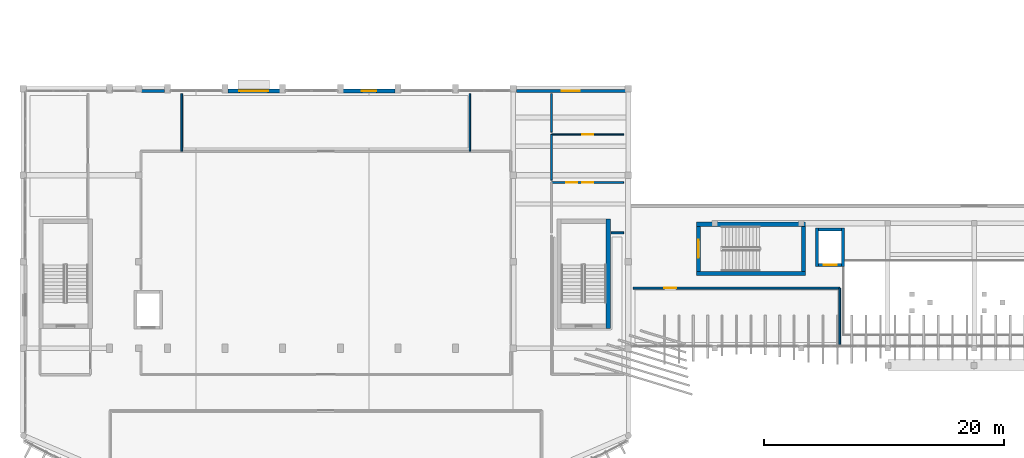
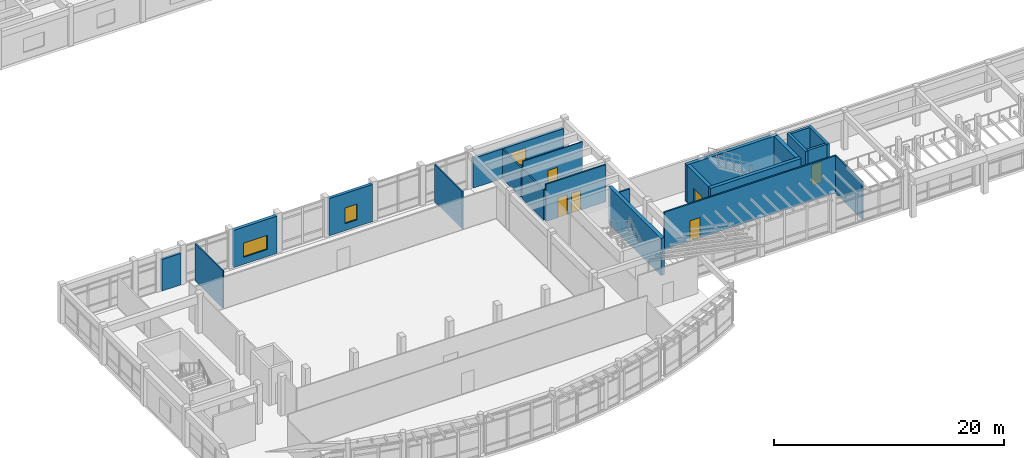
# One storey, part 36 of 60: 22 walls, 6 doors, 3 windows, 9 openings.
"""IFC4 building model written with IfcOpenShell, lengths in metres."""

import ifcopenshell
import ifcopenshell.guid

model = None  # the IFC model being written
_history = None  # IfcOwnerHistory: only IFC2X3 demands one
_inside = {}  # id of a spatial element -> (the spatial element, [elements in it])
_under = {}  # id of a project, library or spatial element -> (it, [spatial elements below it])
_declared = {}  # id of a project -> (the project, [libraries it declares])
_typed = {}  # id of a type object -> (the type object, [elements of that type])
_made_of = {}  # id of a material, layer set ... -> (it, [elements and type objects made of it])


def new_model(schema):
    """Start an empty IFC model of exactly this schema.

    Asked for "IFC4X3", IfcOpenShell would pick the latest addendum, in which some entities
    have other attributes; the version numbers below select the first issue.
    IFC2X3 requires an IfcOwnerHistory on every rooted entity: one is made here for all.
    """
    global model, _history
    if schema == "IFC4X3":
        model = ifcopenshell.file(schema_version=(4, 3, 0, 0))
    else:
        model = ifcopenshell.file(schema=schema)
    _inside.clear()
    _under.clear()
    _declared.clear()
    _typed.clear()
    _made_of.clear()
    _history = None
    if model.schema == "IFC2X3":
        org = make("IfcOrganization", Name="unknown")
        user = make(
            "IfcPersonAndOrganization",
            ThePerson=make("IfcPerson", FamilyName="unknown"),
            TheOrganization=org,
        )
        app = make(
            "IfcApplication",
            ApplicationDeveloper=org,
            Version="unknown",
            ApplicationFullName="unknown",
            ApplicationIdentifier="unknown",
        )
        _history = make(
            "IfcOwnerHistory",
            OwningUser=user,
            OwningApplication=app,
            ChangeAction="ADDED",
            CreationDate=0,
        )
    return model


def make(cls, **values):
    """One entity of the class cls with the attributes given. An attribute that is None is left unset."""
    return model.create_entity(
        cls, **{name: value for name, value in values.items() if value is not None}
    )


def rooted(cls, **values):
    """An entity with a GlobalId (a new one), such as an element, a storey or a relation."""
    return make(cls, GlobalId=ifcopenshell.guid.new(), OwnerHistory=_history, **values)


def si_unit(unit_type, name, prefix=None):
    """IfcSIUnit, for example si_unit("LENGTHUNIT", "METRE", prefix="MILLI")."""
    return make("IfcSIUnit", UnitType=unit_type, Prefix=prefix, Name=name)


def assignment(units):
    """IfcUnitAssignment: the units of a project."""
    return None if units is None else make("IfcUnitAssignment", Units=units)


def point(xyz):
    """IfcCartesianPoint."""
    return None if xyz is None else make("IfcCartesianPoint", Coordinates=xyz)


def direction(xyz):
    """IfcDirection."""
    return None if xyz is None else make("IfcDirection", DirectionRatios=xyz)


def frame(location, z_axis=None, x_axis=None):
    """IfcAxis2Placement3D, a coordinate frame: its origin and axes. An axis left out is left unset."""
    return make(
        "IfcAxis2Placement3D",
        Location=point(location),
        Axis=direction(z_axis),
        RefDirection=direction(x_axis),
    )


def frame_2d(location, x_axis=None):
    """IfcAxis2Placement2D, a coordinate frame in the plane: its origin and x axis."""
    return make(
        "IfcAxis2Placement2D", Location=point(location), RefDirection=direction(x_axis)
    )


def origin():
    """The frame at (0, 0, 0) with its axes left unset."""
    return frame((0.0, 0.0, 0.0))


def place(relative_to, where):
    """IfcLocalPlacement: puts the frame where relative to a parent placement (None: the world)."""
    return make(
        "IfcLocalPlacement", PlacementRelTo=relative_to, RelativePlacement=where
    )


def context(
    kind, dimensions, precision=None, world=None, true_north=None, identifier=None
):
    """IfcGeometricRepresentationContext, for example the 3D "Model" context."""
    return make(
        "IfcGeometricRepresentationContext",
        ContextIdentifier=identifier,
        ContextType=kind,
        CoordinateSpaceDimension=dimensions,
        Precision=precision,
        WorldCoordinateSystem=world,
        TrueNorth=true_north,
    )


def subcontext(parent, identifier, kind, view, scale=None):
    """IfcGeometricRepresentationSubContext, for example "Body" below "Model"."""
    return make(
        "IfcGeometricRepresentationSubContext",
        ContextIdentifier=identifier,
        ContextType=kind,
        ParentContext=parent,
        TargetScale=scale,
        TargetView=view,
    )


def project(units=None, contexts=None):
    """IfcProject with its units and contexts."""
    return rooted(
        "IfcProject",
        Name="project",
        RepresentationContexts=contexts,
        UnitsInContext=assignment(units),
    )


def spatial(cls, under=None, at=None, **own):
    """A site, building, storey or space (cls), placed at a placement, below another one or the project."""
    s = rooted(cls, ObjectPlacement=at, **own)
    if under is not None:
        _under.setdefault(under.id(), (under, []))[1].append(s)
    return s


def profile(cls, at=None, kind="AREA", **sizes):
    """A parametric profile (cls). Its sizes go by their IFC names, for example OverallWidth=200.0."""
    return make(cls, ProfileType=kind, Position=at, **sizes)


def rectangle(**sizes):
    """IfcRectangleProfileDef."""
    return profile("IfcRectangleProfileDef", **sizes)


def extrude(swept, where, along, depth):
    """IfcExtrudedAreaSolid: the profile swept, set in the frame where, extruded along a direction by depth."""
    return make(
        "IfcExtrudedAreaSolid",
        SweptArea=swept,
        Position=where,
        ExtrudedDirection=direction(along),
        Depth=depth,
    )


def shape(context_of_items, identifier, shape_type, items):
    """IfcShapeRepresentation: the items that make up one representation, for example the "Body"."""
    return make(
        "IfcShapeRepresentation",
        ContextOfItems=context_of_items,
        RepresentationIdentifier=identifier,
        RepresentationType=shape_type,
        Items=items,
    )


def material(Name=None, Category=None):
    """IfcMaterial."""
    return make("IfcMaterial", Name=Name, Category=Category)


def layer(
    of_material, thickness, ventilated=None, Name=None, Category=None, Priority=None
):
    """IfcMaterialLayer: one layer of a wall or slab, of a material (None: an air gap)."""
    return make(
        "IfcMaterialLayer",
        Material=of_material,
        LayerThickness=thickness,
        IsVentilated=ventilated,
        Name=Name,
        Category=Category,
        Priority=Priority,
    )


def layer_set(layers, Name=None):
    """IfcMaterialLayerSet."""
    return make("IfcMaterialLayerSet", MaterialLayers=layers, LayerSetName=Name)


def made_of(thing, what):
    """Note that an element or type object is made of a material, layer set ...; save() writes the relation."""
    if what is not None:
        _made_of.setdefault(what.id(), (what, []))[1].append(thing)
    return thing


def type_object(cls, material=None, **own):
    """A type object (cls), such as IfcWallType, which elements share."""
    return made_of(rooted(cls, **own), material)


def element(
    cls,
    number,
    at=None,
    inside=None,
    cuts=None,
    type_object=None,
    material=None,
    context=None,
    identifier="Body",
    shape_type=None,
    held_by="IfcProductDefinitionShape",
    body=None,
    shapes=None,
    **own,
):
    """One element of the class cls, such as IfcWall. Its Tag is "e" and its number.

    at: its placement. inside: the storey or other place that contains it. cuts: it is an
    opening in that element (IfcRelVoidsElement). A single representation is given by context,
    identifier, shape_type and body (its items); several are given by shapes. held_by: the class
    of the entity that holds the representations. save() writes the other relations.
    """
    e = rooted(cls, Tag="e%d" % number, ObjectPlacement=at, **own)
    if body is not None:
        shapes = [shape(context, identifier, shape_type, body)]
    if shapes is not None:
        e.Representation = make(held_by, Representations=shapes)
    if inside is not None:
        _inside.setdefault(inside.id(), (inside, []))[1].append(e)
    if cuts is not None:
        rooted(
            "IfcRelVoidsElement", RelatingBuildingElement=cuts, RelatedOpeningElement=e
        )
    if type_object is not None:
        _typed.setdefault(type_object.id(), (type_object, []))[1].append(e)
    return made_of(e, material)


def fill(opening, filler):
    """IfcRelFillsElement: the door or window that sits in an opening."""
    return rooted(
        "IfcRelFillsElement",
        RelatingOpeningElement=opening,
        RelatedBuildingElement=filler,
    )


def aggregate(whole, parts):
    """IfcRelAggregates: a whole, such as a stair, and the parts it consists of."""
    return rooted("IfcRelAggregates", RelatingObject=whole, RelatedObjects=parts)


def save(model, path):
    """Write the relations noted so far, then the file.

    IfcRelAggregates (storeys below a building ...), IfcRelContainedInSpatialStructure (elements
    in a storey), IfcRelDefinesByType, IfcRelAssociatesMaterial and IfcRelDeclares: one each for
    every whole, place, type object, material and project.
    """
    for whole, parts in _under.values():
        aggregate(whole, parts)
    for where, things in _inside.values():
        rooted(
            "IfcRelContainedInSpatialStructure",
            RelatedElements=things,
            RelatingStructure=where,
        )
    for kind, things in _typed.values():
        rooted("IfcRelDefinesByType", RelatedObjects=things, RelatingType=kind)
    for what, things in _made_of.values():
        rooted("IfcRelAssociatesMaterial", RelatedObjects=things, RelatingMaterial=what)
    for by, libraries in _declared.values():
        rooted("IfcRelDeclares", RelatingContext=by, RelatedDefinitions=libraries)
    model.write(path)


model = new_model("IFC4")

# Units and contexts
model_context = context("Model", 3, precision=1e-05, world=origin(), true_north=direction((0.0, 1.0)))
body_context = subcontext(model_context, "Body", "Model", "MODEL_VIEW")
ifc_project = project(units=[si_unit("LENGTHUNIT", "METRE"), si_unit("AREAUNIT", "SQUARE_METRE"), si_unit("VOLUMEUNIT", "CUBIC_METRE"), si_unit("PLANEANGLEUNIT", "RADIAN"), si_unit("MASSUNIT", "GRAM", prefix="KILO")], contexts=[model_context])

# Site, building, storey
site_placement = place(None, origin())
site = spatial("IfcSite", under=ifc_project, at=site_placement, CompositionType="ELEMENT")
building_placement = place(site_placement, origin())
building = spatial("IfcBuilding", under=site, at=building_placement, Name="Brisavento Harbour Community Centre", CompositionType="ELEMENT")
storey_placement = place(building_placement, frame((0.0, 0.0, 4.5)))
storey = spatial("IfcBuildingStorey", under=building, at=storey_placement, Name="L01", CompositionType="ELEMENT", Elevation=4.5)

# Walls
ifc_material_1 = material(Name="Concrete C40/50", Category="concrete")
ifc_layer_1 = layer(ifc_material_1, 0.35009765625, Name="Concrete C40/50")
ifc_layer_set_1 = layer_set([ifc_layer_1], Name="Concrete C40/50")
wall_type_1 = type_object("IfcWallType", Name="WL-CORE-350", PredefinedType="SHEAR", material=ifc_layer_set_1)
for number, where, z_axis, x_axis, name in (
    (1, (48.72509765625, 16.050048828125, 0.0), (0.0, 0.0, 1.0), (0.0, 1.0, 0.0), "L01 core C1B shear wall L"),
    (2, (56.050048828125, 20.625, 0.0), (0.0, 0.0, 1.0), (1.0, 0.0, 0.0), "L01 core C2 shear wall L"),
    (3, (65.14990234375, 24.72509765625, 0.0), (0.0, 0.0, 1.0), (-1.0, 0.0, 0.0), "L01 core C2 shear wall R"),
):
    element("IfcWall", number, at=place(storey_placement, frame(where, z_axis=z_axis, x_axis=x_axis)), inside=storey, type_object=wall_type_1, Name=name, PredefinedType="SHEAR", context=body_context, shape_type="SweptSolid", body=[
        extrude(rectangle(XDim=9.099853515625, YDim=0.35009765625, at=frame_2d((4.5498046875, 0.0))), origin(), (0.0, 0.0, 1.0), 3.949951171875),
    ])
wall_1_placement = place(storey_placement, frame((64.97509765625, 20.800048828125, 0.0), z_axis=(0.0, 0.0, 1.0), x_axis=(0.0, 1.0, 0.0)))
element("IfcWall", 4, at=wall_1_placement, inside=storey, type_object=wall_type_1, Name="L01 core C2 shear wall F", PredefinedType="SHEAR", context=body_context, shape_type="SweptSolid", body=[
    extrude(rectangle(XDim=3.75, YDim=0.35009765625, at=frame_2d((1.875, 0.0))), origin(), (0.0, 0.0, 1.0), 3.949951171875),
])

# Wall, opening, door
wall_2_placement = place(storey_placement, frame((56.22509765625, 24.550048828125, 0.0), z_axis=(0.0, 0.0, 1.0), x_axis=(0.0, -1.0, 0.0)))
wall_2 = element("IfcWall", 5, at=wall_2_placement, inside=storey, type_object=wall_type_1, Name="L01 core C2 shear wall N", PredefinedType="SHEAR", context=body_context, shape_type="SweptSolid", body=[
    extrude(rectangle(XDim=3.75, YDim=0.35009765625, at=frame_2d((1.875, 0.0))), origin(), (0.0, 0.0, 1.0), 3.949951171875),
])
opening_1_placement = place(wall_2_placement, frame((1.125, 0.0, 0.0)))
opening_1 = element("IfcOpeningElement", 6, at=opening_1_placement, cuts=wall_2, Name="Opening SD-01", PredefinedType="OPENING", context=body_context, shape_type="SweptSolid", body=[
    extrude(rectangle(XDim=1.5, YDim=2.199951171875, at=frame_2d((0.75, 1.10009765625))), frame((0.0, 0.18505859375, 0.0), z_axis=(0.0, -1.0, 0.0), x_axis=(1.0, 0.0, 0.0)), (0.0, 0.0, 1.0), 0.3701171875),
])
ifc_material_2 = material(Name="Fire-rated steel door assembly", Category="steel")
door_type_1 = type_object("IfcDoorType", Name="DR-STAIR-150x220", OperationType="NOTDEFINED", PredefinedType="DOOR", material=ifc_material_2)
door_1_placement = place(opening_1_placement, origin())
door_1 = element("IfcDoor", 7, at=door_1_placement, inside=storey, type_object=door_type_1, Name="L01 exit stair ST-03 fire door", OperationType="SINGLE_SWING_RIGHT", OverallHeight=2.199951171875, OverallWidth=1.5, PredefinedType="DOOR", context=body_context, shape_type="SweptSolid", body=[
    extrude(rectangle(XDim=1.5, YDim=2.199951171875, at=frame_2d((0.75, 1.10009765625))), frame((0.0, 0.02490234375, 0.0), z_axis=(0.0, -1.0, 0.0), x_axis=(1.0, 0.0, 0.0)), (0.0, 0.0, 1.0), 0.050048828125),
])
fill(opening_1, door_1)

# Wall
ifc_material_3 = material(Name="Terracotta masonry unit", Category="masonry")
ifc_layer_2 = layer(ifc_material_3, 0.239990234375, Name="Terracotta masonry unit")
ifc_layer_set_2 = layer_set([ifc_layer_2], Name="Terracotta masonry unit")
wall_type_2 = type_object("IfcWallType", Name="WL-EXT-240", PredefinedType="SOLIDWALL", material=ifc_layer_set_2)
wall_3_placement = place(storey_placement, frame((9.860107421875, 35.820068359375, 0.0), z_axis=(0.0, 0.0, 1.0), x_axis=(1.0, 0.0, 0.0)))
element("IfcWall", 8, at=wall_3_placement, inside=storey, type_object=wall_type_2, Name="L01 V1 exterior wall 0173", PredefinedType="SOLIDWALL", context=body_context, shape_type="SweptSolid", body=[
    extrude(rectangle(XDim=1.90478515625, YDim=0.239990234375, at=frame_2d((0.952392578125, 0.0))), origin(), (0.0, 0.0, 1.0), 3.35009765625),
])

# Wall, opening, window
ifc_material_4 = material(Name="Precast concrete C40/50", Category="concrete")
ifc_layer_3 = layer(ifc_material_4, 0.280029296875, Name="Precast concrete C40/50")
ifc_layer_set_3 = layer_set([ifc_layer_3], Name="Precast concrete C40/50")
wall_type_3 = type_object("IfcWallType", Name="WL-EXT-280", PredefinedType="SOLIDWALL", material=ifc_layer_set_3)
wall_4_placement = place(storey_placement, frame((41.06005859375, 35.820068359375, 0.0), z_axis=(0.0, 0.0, 1.0), x_axis=(1.0, 0.0, 0.0)))
wall_4 = element("IfcWall", 9, at=wall_4_placement, inside=storey, type_object=wall_type_3, Name="L01 V1 exterior wall 0176", PredefinedType="SOLIDWALL", context=body_context, shape_type="SweptSolid", body=[
    extrude(rectangle(XDim=9.079833984375, YDim=0.280029296875, at=frame_2d((4.5400390625, 0.0))), origin(), (0.0, 0.0, 1.0), 3.14990234375),
])
opening_2_placement = place(wall_4_placement, frame((3.7900390625, 0.0, 0.75)))
opening_2 = element("IfcOpeningElement", 10, at=opening_2_placement, cuts=wall_4, Name="Opening W-20", PredefinedType="OPENING", context=body_context, shape_type="SweptSolid", body=[
    extrude(rectangle(XDim=1.5, YDim=1.64990234375, at=frame_2d((0.75, 0.824951171875))), frame((0.0, 0.14990234375, 0.0), z_axis=(0.0, -1.0, 0.0), x_axis=(1.0, 0.0, 0.0)), (0.0, 0.0, 1.0), 0.300048828125),
])
ifc_material_5 = material(Name="Solar-control laminated low-E glass", Category="glass")
window_type_1 = type_object("IfcWindowType", Name="WIN-CAS-20", PartitioningType="SINGLE_PANEL", PredefinedType="WINDOW", material=ifc_material_5)
window_1_placement = place(opening_2_placement, origin())
window_1 = element("IfcWindow", 11, at=window_1_placement, inside=storey, type_object=window_type_1, Name="L01 V1 impact casement window 0056", OverallHeight=1.64990234375, OverallWidth=1.5, PartitioningType="SINGLE_PANEL", PredefinedType="WINDOW", context=body_context, shape_type="SweptSolid", body=[
    extrude(rectangle(XDim=1.5, YDim=1.64990234375, at=frame_2d((0.75, 0.824951171875))), frame((0.0, 0.030029296875, 0.0), z_axis=(0.0, -1.0, 0.0), x_axis=(1.0, 0.0, 0.0)), (0.0, 0.0, 1.0), 0.06005859375),
])
fill(opening_2, window_1)

ifc_material_6 = material(Name="Concrete C35/45", Category="concrete")
ifc_layer_4 = layer(ifc_material_6, 0.300048828125, Name="Concrete C35/45")
ifc_layer_set_4 = layer_set([ifc_layer_4], Name="Concrete C35/45")
wall_type_4 = type_object("IfcWallType", Name="WL-EXT-300", PredefinedType="SOLIDWALL", material=ifc_layer_set_4)
wall_5_placement = place(storey_placement, frame((26.635009765625, 35.820068359375, 0.0), z_axis=(0.0, 0.0, 1.0), x_axis=(1.0, 0.0, 0.0)))
wall_5 = element("IfcWall", 12, at=wall_5_placement, inside=storey, type_object=wall_type_4, Name="L01 V1 exterior wall 0175", PredefinedType="SOLIDWALL", context=body_context, shape_type="SweptSolid", body=[
    extrude(rectangle(XDim=4.330078125, YDim=0.300048828125, at=frame_2d((2.1650390625, 0.0))), origin(), (0.0, 0.0, 1.0), 3.949951171875),
])
opening_3_placement = place(wall_5_placement, frame((1.56494140625, 0.0, 0.75)))
opening_3 = element("IfcOpeningElement", 13, at=opening_3_placement, cuts=wall_5, Name="Opening W-19", PredefinedType="OPENING", context=body_context, shape_type="SweptSolid", body=[
    extrude(rectangle(XDim=1.199951171875, YDim=1.64990234375, at=frame_2d((0.60009765625, 0.824951171875))), frame((0.0, 0.16015625, 0.0), z_axis=(0.0, -1.0, 0.0), x_axis=(1.0, 0.0, 0.0)), (0.0, 0.0, 1.0), 0.320068359375),
])
window_type_2 = type_object("IfcWindowType", Name="WIN-CAS-19", PartitioningType="SINGLE_PANEL", PredefinedType="WINDOW", material=ifc_material_5)
window_2_placement = place(opening_3_placement, origin())
window_2 = element("IfcWindow", 14, at=window_2_placement, inside=storey, type_object=window_type_2, Name="L01 V1 impact casement window 0055", OverallHeight=1.64990234375, OverallWidth=1.199951171875, PartitioningType="SINGLE_PANEL", PredefinedType="WINDOW", context=body_context, shape_type="SweptSolid", body=[
    extrude(rectangle(XDim=1.199951171875, YDim=1.64990234375, at=frame_2d((0.60009765625, 0.824951171875))), frame((0.0, 0.030029296875, 0.0), z_axis=(0.0, -1.0, 0.0), x_axis=(1.0, 0.0, 0.0)), (0.0, 0.0, 1.0), 0.06005859375),
])
fill(opening_3, window_2)

ifc_layer_5 = layer(ifc_material_6, 0.320068359375, Name="Concrete C35/45")
ifc_layer_set_5 = layer_set([ifc_layer_5], Name="Concrete C35/45")
wall_type_5 = type_object("IfcWallType", Name="WL-EXT-320", PredefinedType="SOLIDWALL", material=ifc_layer_set_5)
wall_6_placement = place(storey_placement, frame((17.034912109375, 35.820068359375, 0.0), z_axis=(0.0, 0.0, 1.0), x_axis=(1.0, 0.0, 0.0)))
wall_6 = element("IfcWall", 15, at=wall_6_placement, inside=storey, type_object=wall_type_5, Name="L01 V1 exterior wall 0174", PredefinedType="SOLIDWALL", context=body_context, shape_type="SweptSolid", body=[
    extrude(rectangle(XDim=4.330078125, YDim=0.320068359375, at=frame_2d((2.1650390625, 0.0))), origin(), (0.0, 0.0, 1.0), 3.949951171875),
])
opening_4_placement = place(wall_6_placement, frame((0.965087890625, 0.0, 0.75)))
opening_4 = element("IfcOpeningElement", 16, at=opening_4_placement, cuts=wall_6, Name="Opening W-18", PredefinedType="OPENING", context=body_context, shape_type="SweptSolid", body=[
    extrude(rectangle(XDim=2.39990234375, YDim=1.5, at=frame_2d((1.199951171875, 0.75))), frame((0.0, 0.169921875, 0.0), z_axis=(0.0, -1.0, 0.0), x_axis=(1.0, 0.0, 0.0)), (0.0, 0.0, 1.0), 0.340087890625),
])
window_type_3 = type_object("IfcWindowType", Name="WIN-CAS-18", PartitioningType="SINGLE_PANEL", PredefinedType="WINDOW", material=ifc_material_5)
window_3_placement = place(opening_4_placement, origin())
window_3 = element("IfcWindow", 17, at=window_3_placement, inside=storey, type_object=window_type_3, Name="L01 V1 impact casement window 0054", OverallHeight=1.5, OverallWidth=2.39990234375, PartitioningType="SINGLE_PANEL", PredefinedType="WINDOW", context=body_context, shape_type="SweptSolid", body=[
    extrude(rectangle(XDim=2.39990234375, YDim=1.5, at=frame_2d((1.199951171875, 0.75))), frame((0.0, 0.030029296875, 0.0), z_axis=(0.0, -1.0, 0.0), x_axis=(1.0, 0.0, 0.0)), (0.0, 0.0, 1.0), 0.06005859375),
])
fill(opening_4, window_3)

# Wall, opening, door
ifc_material_7 = material(Name="Lightweight stud partition", Category="other")
ifc_layer_6 = layer(ifc_material_7, 0.10009765625, Name="Lightweight stud partition")
ifc_layer_set_6 = layer_set([ifc_layer_6], Name="Lightweight stud partition")
wall_type_6 = type_object("IfcWallType", Name="WL-PRT-100", PredefinedType="PARTITIONING", material=ifc_layer_set_6)
wall_7_placement = place(storey_placement, frame((50.0, 32.199951171875, 0.0), z_axis=(0.0, 0.0, 1.0), x_axis=(-1.0, 0.0, 0.0)))
wall_7 = element("IfcWall", 18, at=wall_7_placement, inside=storey, type_object=wall_type_6, Name="L01 Female WC L01 partition 0191", PredefinedType="PARTITIONING", context=body_context, shape_type="SweptSolid", body=[
    extrude(rectangle(XDim=6.0, YDim=0.10009765625, at=frame_2d((3.0, 0.0))), origin(), (0.0, 0.0, 1.0), 3.949951171875),
])
opening_5_placement = place(wall_7_placement, frame((2.5400390625, 0.0, 0.0)))
opening_5 = element("IfcOpeningElement", 19, at=opening_5_placement, cuts=wall_7, Name="Opening WD-01", PredefinedType="OPENING", context=body_context, shape_type="SweptSolid", body=[
    extrude(rectangle(XDim=0.919921875, YDim=2.10009765625, at=frame_2d((0.4599609375, 1.050048828125))), frame((0.0, 0.06005859375, 0.0), z_axis=(0.0, -1.0, 0.0), x_axis=(1.0, 0.0, 0.0)), (0.0, 0.0, 1.0), 0.1201171875),
])
ifc_material_8 = material(Name="Moisture-resistant laminate door", Category="other")
door_type_2 = type_object("IfcDoorType", Name="DR-WC-092x210", OperationType="NOTDEFINED", PredefinedType="DOOR", material=ifc_material_8)
door_2_placement = place(opening_5_placement, origin())
door_2 = element("IfcDoor", 20, at=door_2_placement, inside=storey, type_object=door_type_2, Name="L01 Accessible WC L01 door 0069", OperationType="SINGLE_SWING_RIGHT", OverallHeight=2.10009765625, OverallWidth=0.919921875, PredefinedType="DOOR", context=body_context, shape_type="SweptSolid", body=[
    extrude(rectangle(XDim=0.919921875, YDim=2.10009765625, at=frame_2d((0.4599609375, 1.050048828125))), frame((0.0, 0.02490234375, 0.0), z_axis=(0.0, -1.0, 0.0), x_axis=(1.0, 0.0, 0.0)), (0.0, 0.0, 1.0), 0.050048828125),
])
fill(opening_5, door_2)

# Walls
ifc_material_9 = material(Name="Gypsum metal-stud partition", Category="other")
ifc_layer_7 = layer(ifc_material_9, 0.1201171875, Name="Gypsum metal-stud partition")
ifc_layer_set_7 = layer_set([ifc_layer_7], Name="Gypsum metal-stud partition")
wall_type_7 = type_object("IfcWallType", Name="WL-PRT-120", PredefinedType="PARTITIONING", material=ifc_layer_set_7)
wall_8_placement = place(storey_placement, frame((37.199951171875, 30.800048828125, 0.0), z_axis=(0.0, 0.0, 1.0), x_axis=(0.0, 1.0, 0.0)))
element("IfcWall", 21, at=wall_8_placement, inside=storey, type_object=wall_type_7, Name="L01 Sanctuary Platform partition 0142", PredefinedType="PARTITIONING", context=body_context, shape_type="SweptSolid", body=[
    extrude(rectangle(XDim=4.800048828125, YDim=0.1201171875, at=frame_2d((2.39990234375, 0.0))), origin(), (0.0, 0.0, 1.0), 3.949951171875),
])
ifc_layer_8 = layer(ifc_material_9, 0.139892578125, Name="Gypsum metal-stud partition")
ifc_layer_set_8 = layer_set([ifc_layer_8], Name="Gypsum metal-stud partition")
wall_type_8 = type_object("IfcWallType", Name="WL-PRT-140", PredefinedType="PARTITIONING", material=ifc_layer_set_8)
wall_9_placement = place(storey_placement, frame((13.199951171875, 35.60009765625, 0.0), z_axis=(0.0, 0.0, 1.0), x_axis=(0.0, -1.0, 0.0)))
element("IfcWall", 22, at=wall_9_placement, inside=storey, type_object=wall_type_8, Name="L01 Sanctuary Platform partition 0141", PredefinedType="PARTITIONING", context=body_context, shape_type="SweptSolid", body=[
    extrude(rectangle(XDim=4.800048828125, YDim=0.139892578125, at=frame_2d((2.39990234375, 0.0))), origin(), (0.0, 0.0, 1.0), 3.949951171875),
])
wall_10_placement = place(storey_placement, frame((68.0, 14.699951171875, 0.0), z_axis=(0.0, 0.0, 1.0), x_axis=(0.0, 1.0, 0.0)))
element("IfcWall", 23, at=wall_10_placement, inside=storey, type_object=wall_type_8, Name="L01 Upper Entrance Gallery Lounge partition 0153", PredefinedType="PARTITIONING", context=body_context, shape_type="SweptSolid", body=[
    extrude(rectangle(XDim=4.699951171875, YDim=0.139892578125, at=frame_2d((2.35009765625, 0.0))), origin(), (0.0, 0.0, 1.0), 3.949951171875),
])

# Wall, openings, doors
wall_11_placement = place(storey_placement, frame((50.0, 28.199951171875, 0.0), z_axis=(0.0, 0.0, 1.0), x_axis=(-1.0, 0.0, 0.0)))
wall_11 = element("IfcWall", 24, at=wall_11_placement, inside=storey, type_object=wall_type_8, Name="L01 Male WC L01 partition 0189", PredefinedType="PARTITIONING", context=body_context, shape_type="SweptSolid", body=[
    extrude(rectangle(XDim=6.0, YDim=0.139892578125, at=frame_2d((3.0, 0.0))), origin(), (0.0, 0.0, 1.0), 3.949951171875),
])
opening_6_placement = place(wall_11_placement, frame((2.5400390625, 0.0, 0.0)))
opening_6 = element("IfcOpeningElement", 25, at=opening_6_placement, cuts=wall_11, Name="Opening WD-01", PredefinedType="OPENING", context=body_context, shape_type="SweptSolid", body=[
    extrude(rectangle(XDim=0.919921875, YDim=2.10009765625, at=frame_2d((0.4599609375, 1.050048828125))), frame((0.0, 0.080078125, 0.0), z_axis=(0.0, -1.0, 0.0), x_axis=(1.0, 0.0, 0.0)), (0.0, 0.0, 1.0), 0.159912109375),
])
opening_7_placement = place(wall_11_placement, frame((3.860107421875, 0.0, 0.0)))
opening_7 = element("IfcOpeningElement", 26, at=opening_7_placement, cuts=wall_11, Name="Opening WD-01", PredefinedType="OPENING", context=body_context, shape_type="SweptSolid", body=[
    extrude(rectangle(XDim=0.919921875, YDim=2.10009765625, at=frame_2d((0.4599609375, 1.050048828125))), frame((0.0, 0.080078125, 0.0), z_axis=(0.0, -1.0, 0.0), x_axis=(1.0, 0.0, 0.0)), (0.0, 0.0, 1.0), 0.159912109375),
])
door_3_placement = place(opening_6_placement, origin())
door_3 = element("IfcDoor", 27, at=door_3_placement, inside=storey, type_object=door_type_2, Name="L01 Male WC L01 door 0067", OperationType="SINGLE_SWING_RIGHT", OverallHeight=2.10009765625, OverallWidth=0.919921875, PredefinedType="DOOR", context=body_context, shape_type="SweptSolid", body=[
    extrude(rectangle(XDim=0.919921875, YDim=2.10009765625, at=frame_2d((0.4599609375, 1.050048828125))), frame((0.0, 0.02490234375, 0.0), z_axis=(0.0, -1.0, 0.0), x_axis=(1.0, 0.0, 0.0)), (0.0, 0.0, 1.0), 0.050048828125),
])
fill(opening_6, door_3)
door_4_placement = place(opening_7_placement, origin())
door_4 = element("IfcDoor", 28, at=door_4_placement, inside=storey, type_object=door_type_2, Name="L01 Female WC L01 door 0068", OperationType="SINGLE_SWING_LEFT", OverallHeight=2.10009765625, OverallWidth=0.919921875, PredefinedType="DOOR", context=body_context, shape_type="SweptSolid", body=[
    extrude(rectangle(XDim=0.919921875, YDim=2.10009765625, at=frame_2d((0.4599609375, 1.050048828125))), frame((0.0, 0.02490234375, 0.0), z_axis=(0.0, -1.0, 0.0), x_axis=(1.0, 0.0, 0.0)), (0.0, 0.0, 1.0), 0.050048828125),
])
fill(opening_7, door_4)

# Wall
wall_12_placement = place(storey_placement, frame((44.0, 35.60009765625, 0.0), z_axis=(0.0, 0.0, 1.0), x_axis=(0.0, -1.0, 0.0)))
element("IfcWall", 29, at=wall_12_placement, inside=storey, type_object=wall_type_8, Name="L01 Accessible WC L01 partition 0193", PredefinedType="PARTITIONING", context=body_context, shape_type="SweptSolid", body=[
    extrude(rectangle(XDim=3.2001953125, YDim=0.139892578125, at=frame_2d((1.60009765625, 0.0))), origin(), (0.0, 0.0, 1.0), 3.18994140625),
])

# Wall, opening, door
ifc_material_10 = material(Name="Moisture-resistant stud partition", Category="other")
ifc_layer_9 = layer(ifc_material_10, 0.14990234375, Name="Moisture-resistant stud partition")
ifc_layer_set_9 = layer_set([ifc_layer_9], Name="Moisture-resistant stud partition")
wall_type_9 = type_object("IfcWallType", Name="WL-PRT-150", PredefinedType="PARTITIONING", material=ifc_layer_set_9)
wall_13_placement = place(storey_placement, frame((68.0, 19.39990234375, 0.0), z_axis=(0.0, 0.0, 1.0), x_axis=(-1.0, 0.0, 0.0)))
wall_13 = element("IfcWall", 30, at=wall_13_placement, inside=storey, type_object=wall_type_9, Name="L01 Upper Entrance Gallery Lounge partition 0152", PredefinedType="PARTITIONING", context=body_context, shape_type="SweptSolid", body=[
    extrude(rectangle(XDim=17.199951171875, YDim=0.14990234375, at=frame_2d((8.60009765625, 0.0))), origin(), (0.0, 0.0, 1.0), 3.949951171875),
])
opening_8_placement = place(wall_13_placement, frame((13.6298828125, 0.0, 0.0)))
opening_8 = element("IfcOpeningElement", 31, at=opening_8_placement, cuts=wall_13, Name="Opening ID-09", PredefinedType="OPENING", context=body_context, shape_type="SweptSolid", body=[
    extrude(rectangle(XDim=1.0, YDim=2.14990234375, at=frame_2d((0.5, 1.074951171875))), frame((0.0, 0.0849609375, 0.0), z_axis=(0.0, -1.0, 0.0), x_axis=(1.0, 0.0, 0.0)), (0.0, 0.0, 1.0), 0.169921875),
])
ifc_material_11 = material(Name="Solid-core tropical timber door", Category="wood")
door_type_3 = type_object("IfcDoorType", Name="DR-INT-100x215", OperationType="NOTDEFINED", PredefinedType="DOOR", material=ifc_material_11)
door_5_placement = place(opening_8_placement, origin())
door_5 = element("IfcDoor", 32, at=door_5_placement, inside=storey, type_object=door_type_3, Name="L01 Upper Entrance Gallery Lounge door 0053", OperationType="SINGLE_SWING_RIGHT", OverallHeight=2.14990234375, OverallWidth=1.0, PredefinedType="DOOR", context=body_context, shape_type="SweptSolid", body=[
    extrude(rectangle(XDim=1.0, YDim=2.14990234375, at=frame_2d((0.5, 1.074951171875))), frame((0.0, 0.02490234375, 0.0), z_axis=(0.0, -1.0, 0.0), x_axis=(1.0, 0.0, 0.0)), (0.0, 0.0, 1.0), 0.050048828125),
])
fill(opening_8, door_5)

# Walls
wall_14_placement = place(storey_placement, frame((48.9599609375, 24.0, 0.0), z_axis=(0.0, 0.0, 1.0), x_axis=(1.0, 0.0, 0.0)))
element("IfcWall", 33, at=wall_14_placement, inside=storey, type_object=wall_type_9, Name="L01 Male WC L01 partition 0188", PredefinedType="PARTITIONING", context=body_context, shape_type="SweptSolid", body=[
    extrude(rectangle(XDim=1.0400390625, YDim=0.14990234375, at=frame_2d((0.52001953125, 0.0))), origin(), (0.0, 0.0, 1.0), 3.949951171875),
])
wall_15_placement = place(storey_placement, frame((44.0, 32.199951171875, 0.0), z_axis=(0.0, 0.0, 1.0), x_axis=(0.0, -1.0, 0.0)))
element("IfcWall", 34, at=wall_15_placement, inside=storey, type_object=wall_type_9, Name="L01 Female WC L01 partition 0192", PredefinedType="PARTITIONING", context=body_context, shape_type="SweptSolid", body=[
    extrude(rectangle(XDim=3.800048828125, YDim=0.14990234375, at=frame_2d((1.89990234375, 0.0))), origin(), (0.0, 0.0, 1.0), 3.199951171875),
])
ifc_layer_10 = layer(ifc_material_6, 0.25, Name="Concrete C35/45")
ifc_layer_set_10 = layer_set([ifc_layer_10], Name="Concrete C35/45")
wall_type_10 = type_object("IfcWallType", Name="WL-SHF-250", PredefinedType="SOLIDWALL", material=ifc_layer_set_10)
for number, where, z_axis, x_axis, name in (
    (35, (66.125, 21.199951171875, 0.0), (0.0, 0.0, 1.0), (0.0, 1.0, 0.0), "L01 lift LC-04 shaft wall W"),
    (36, (68.27490234375, 24.39990234375, 0.0), (0.0, 0.0, 1.0), (0.0, -1.0, 0.0), "L01 lift LC-04 shaft wall E"),
):
    element("IfcWall", number, at=place(storey_placement, frame(where, z_axis=z_axis, x_axis=x_axis)), inside=storey, type_object=wall_type_10, Name=name, PredefinedType="SOLIDWALL", context=body_context, shape_type="SweptSolid", body=[
        extrude(rectangle(XDim=3.199951171875, YDim=0.25, at=frame_2d((1.60009765625, 0.0))), origin(), (0.0, 0.0, 1.0), 3.949951171875),
    ])

# Wall, opening, door
wall_16_placement = place(storey_placement, frame((66.25, 21.324951171875, 0.0), z_axis=(0.0, 0.0, 1.0), x_axis=(1.0, 0.0, 0.0)))
wall_16 = element("IfcWall", 37, at=wall_16_placement, inside=storey, type_object=wall_type_10, Name="L01 lift LC-04 shaft wall S", PredefinedType="SOLIDWALL", context=body_context, shape_type="SweptSolid", body=[
    extrude(rectangle(XDim=1.89990234375, YDim=0.25, at=frame_2d((0.949951171875, 0.0))), origin(), (0.0, 0.0, 1.0), 3.949951171875),
])
opening_9_placement = place(wall_16_placement, frame((0.39990234375, 0.0, 0.0)))
opening_9 = element("IfcOpeningElement", 38, at=opening_9_placement, cuts=wall_16, Name="Opening LD-01", PredefinedType="OPENING", context=body_context, shape_type="SweptSolid", body=[
    extrude(rectangle(XDim=1.10009765625, YDim=2.199951171875, at=frame_2d((0.550048828125, 1.10009765625))), frame((0.0, 0.135009765625, 0.0), z_axis=(0.0, -1.0, 0.0), x_axis=(1.0, 0.0, 0.0)), (0.0, 0.0, 1.0), 0.27001953125),
])
ifc_material_12 = material(Name="Stainless steel 1.4401", Category="steel")
door_type_4 = type_object("IfcDoorType", Name="DR-LIFT-110x220", OperationType="DOUBLE_DOOR_SLIDING", PredefinedType="DOOR", material=ifc_material_12)
door_6_placement = place(opening_9_placement, origin())
door_6 = element("IfcDoor", 39, at=door_6_placement, inside=storey, type_object=door_type_4, Name="L01 lift LC-04 landing sliding door", OperationType="DOUBLE_DOOR_SLIDING", OverallHeight=2.199951171875, OverallWidth=1.10009765625, PredefinedType="DOOR", context=body_context, shape_type="SweptSolid", body=[
    extrude(rectangle(XDim=1.10009765625, YDim=2.199951171875, at=frame_2d((0.550048828125, 1.10009765625))), frame((0.0, 0.02490234375, 0.0), z_axis=(0.0, -1.0, 0.0), x_axis=(1.0, 0.0, 0.0)), (0.0, 0.0, 1.0), 0.050048828125),
])
fill(opening_9, door_6)

# Wall
wall_17_placement = place(storey_placement, frame((68.14990234375, 24.27490234375, 0.0), z_axis=(0.0, 0.0, 1.0), x_axis=(-1.0, 0.0, 0.0)))
element("IfcWall", 40, at=wall_17_placement, inside=storey, type_object=wall_type_10, Name="L01 lift LC-04 shaft wall N", PredefinedType="SOLIDWALL", context=body_context, shape_type="SweptSolid", body=[
    extrude(rectangle(XDim=1.89990234375, YDim=0.25, at=frame_2d((0.949951171875, 0.0))), origin(), (0.0, 0.0, 1.0), 3.949951171875),
])

save(model, "model.ifc")
